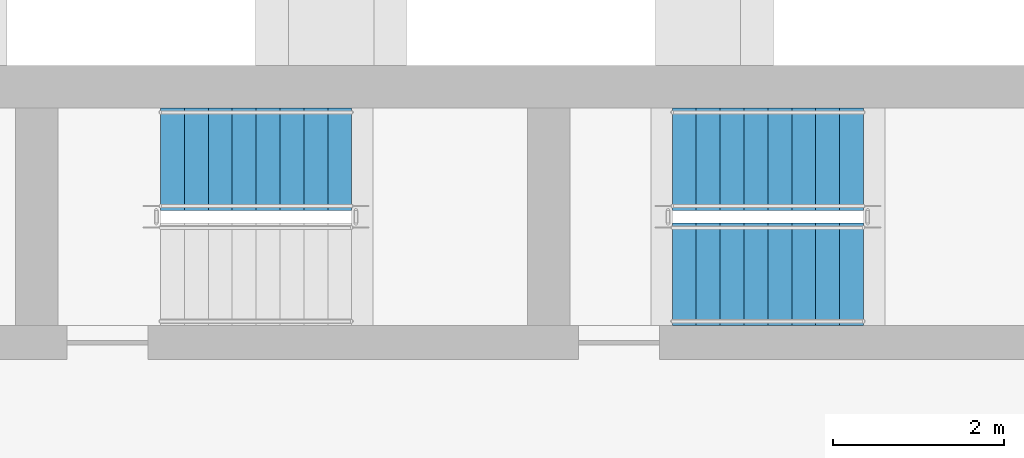
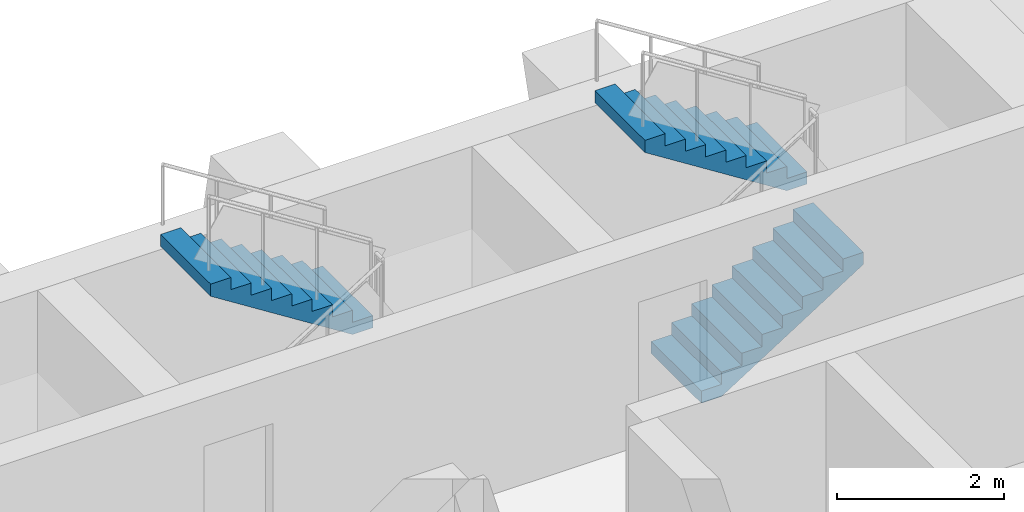
# One storey, part 15 of 19: 3 stair flights, 2 elements without a shape of their own.
"""IFC4 building model written with IfcOpenShell, lengths in metres."""

from ifc_helpers import new_model, si_unit, direction, frame, origin, place, context, subcontext, project, spatial, polyline, outline, extrude, material, type_object, element, aggregate, save


model = new_model("IFC4")

# Units and contexts
model_context = context("Model", 3, precision=1e-05, world=origin(), true_north=direction((0.0, 1.0)))
body_context = subcontext(model_context, "Body", "Model", "MODEL_VIEW")
ifc_project = project(units=[si_unit("LENGTHUNIT", "METRE"), si_unit("AREAUNIT", "SQUARE_METRE"), si_unit("VOLUMEUNIT", "CUBIC_METRE"), si_unit("PLANEANGLEUNIT", "RADIAN"), si_unit("MASSUNIT", "GRAM", prefix="KILO")], contexts=[model_context])

# Site, building, storey
site_placement = place(None, origin())
site = spatial("IfcSite", under=ifc_project, at=site_placement, CompositionType="ELEMENT")
building_placement = place(site_placement, origin())
building = spatial("IfcBuilding", under=site, at=building_placement, Name="Vidyagriha Tower", CompositionType="ELEMENT")
storey_placement = place(building_placement, frame((0.0, 0.0, 60.800048828125)))
storey = spatial("IfcBuildingStorey", under=building, at=storey_placement, Name="L16", CompositionType="ELEMENT", Elevation=60.800048828125)

# Stair, stair flight
ifc_material_1 = material(Name="Concrete C40/50", Category="concrete")
stair_type = type_object("IfcStairType", Name="Exit stair, half-turn, precast flights", PredefinedType="HALF_TURN_STAIR", material=ifc_material_1)
stair_1_placement = place(storey_placement, origin())
stair_1 = element("IfcStair", 1, at=stair_1_placement, inside=storey, type_object=stair_type, Name="L16 Exit Stair ST2", PredefinedType="HALF_TURN_STAIR")
ifc_material_2 = material(Name="Precast concrete C40/50", Category="concrete")
stair_flight_type = type_object("IfcStairFlightType", Name="Exit stair flight 1200 mm, precast", PredefinedType="STRAIGHT", material=ifc_material_2)
stair_flight_1_placement = place(storey_placement, frame((0.239990234375, 18.89990234375, 1.599853515625), z_axis=(0.0, 0.0, 1.0), x_axis=(-1.0, 0.0, 0.0)))
stair_flight_1 = element("IfcStairFlight", 2, at=stair_flight_1_placement, type_object=stair_flight_type, Name="ST2 flight 2", NumberOfRisers=9, NumberOfTreads=8, PredefinedType="STRAIGHT", RiserHeight=0.177777778, TreadLength=0.28, context=body_context, shape_type="SweptSolid", body=[
    extrude(outline(polyline([(0.0, 0.0), (0.0, 0.177734375), (0.280029296875, 0.177734375), (0.280029296875, 0.35546875), (0.56005859375, 0.35546875), (0.56005859375, 0.533447265625), (0.840087890625, 0.533447265625), (0.840087890625, 0.711181640625), (1.1201171875, 0.711181640625), (1.1201171875, 0.888916015625), (1.39990234375, 0.888916015625), (1.39990234375, 1.066650390625), (1.679931640625, 1.066650390625), (1.679931640625, 1.244384765625), (1.9599609375, 1.244384765625), (1.9599609375, 1.422119140625), (2.239990234375, 1.422119140625), (2.239990234375, 1.60009765625), (2.239990234375, 1.24462890625), (0.27978515625, 0.0), (0.0, 0.0)])), frame((0.0, 0.60009765625, 0.0), z_axis=(0.0, -1.0, 0.0), x_axis=(1.0, 0.0, 0.0)), (0.0, 0.0, 1.0), 1.199951171875),
])
aggregate(stair_1, [stair_flight_1])

# Stair, stair flights
stair_2_placement = place(storey_placement, origin())
stair_2 = element("IfcStair", 3, at=stair_2_placement, inside=storey, type_object=stair_type, Name="L16 Exit Stair ST3", PredefinedType="HALF_TURN_STAIR")
stair_flight_2_placement = place(storey_placement, frame((4.0, 17.550048828125, 0.0)))
stair_flight_2 = element("IfcStairFlight", 4, at=stair_flight_2_placement, type_object=stair_flight_type, Name="ST3 flight 1", NumberOfRisers=9, NumberOfTreads=8, PredefinedType="STRAIGHT", RiserHeight=0.177777778, TreadLength=0.28, context=body_context, shape_type="SweptSolid", body=[
    extrude(outline(polyline([(0.0, 0.0), (0.0, 0.177734375), (0.280029296875, 0.177734375), (0.280029296875, 0.35546875), (0.56005859375, 0.35546875), (0.56005859375, 0.533447265625), (0.840087890625, 0.533447265625), (0.840087890625, 0.711181640625), (1.1201171875, 0.711181640625), (1.1201171875, 0.888916015625), (1.39990234375, 0.888916015625), (1.39990234375, 1.066650390625), (1.679931640625, 1.066650390625), (1.679931640625, 1.244384765625), (1.9599609375, 1.244384765625), (1.9599609375, 1.422119140625), (2.239990234375, 1.422119140625), (2.239990234375, 1.60009765625), (2.239990234375, 1.24462890625), (0.27978515625, 0.0), (0.0, 0.0)])), frame((0.0, 0.60009765625, 0.0), z_axis=(0.0, -1.0, 0.0), x_axis=(1.0, 0.0, 0.0)), (0.0, 0.0, 1.0), 1.199951171875),
])
stair_flight_3_placement = place(storey_placement, frame((6.239990234375, 18.89990234375, 1.599853515625), z_axis=(0.0, 0.0, 1.0), x_axis=(-1.0, 0.0, 0.0)))
stair_flight_3 = element("IfcStairFlight", 5, at=stair_flight_3_placement, type_object=stair_flight_type, Name="ST3 flight 2", NumberOfRisers=9, NumberOfTreads=8, PredefinedType="STRAIGHT", RiserHeight=0.177777778, TreadLength=0.28, context=body_context, shape_type="SweptSolid", body=[
    extrude(outline(polyline([(0.0, 0.0), (0.0, 0.177734375), (0.280029296875, 0.177734375), (0.280029296875, 0.35546875), (0.56005859375, 0.35546875), (0.56005859375, 0.533447265625), (0.840087890625, 0.533447265625), (0.840087890625, 0.711181640625), (1.1201171875, 0.711181640625), (1.1201171875, 0.888916015625), (1.39990234375, 0.888916015625), (1.39990234375, 1.066650390625), (1.679931640625, 1.066650390625), (1.679931640625, 1.244384765625), (1.9599609375, 1.244384765625), (1.9599609375, 1.422119140625), (2.239990234375, 1.422119140625), (2.239990234375, 1.60009765625), (2.239990234375, 1.24462890625), (0.27978515625, 0.0), (0.0, 0.0)])), frame((0.0, 0.60009765625, 0.0), z_axis=(0.0, -1.0, 0.0), x_axis=(1.0, 0.0, 0.0)), (0.0, 0.0, 1.0), 1.199951171875),
])
aggregate(stair_2, [stair_flight_2, stair_flight_3])

save(model, "model.ifc")
